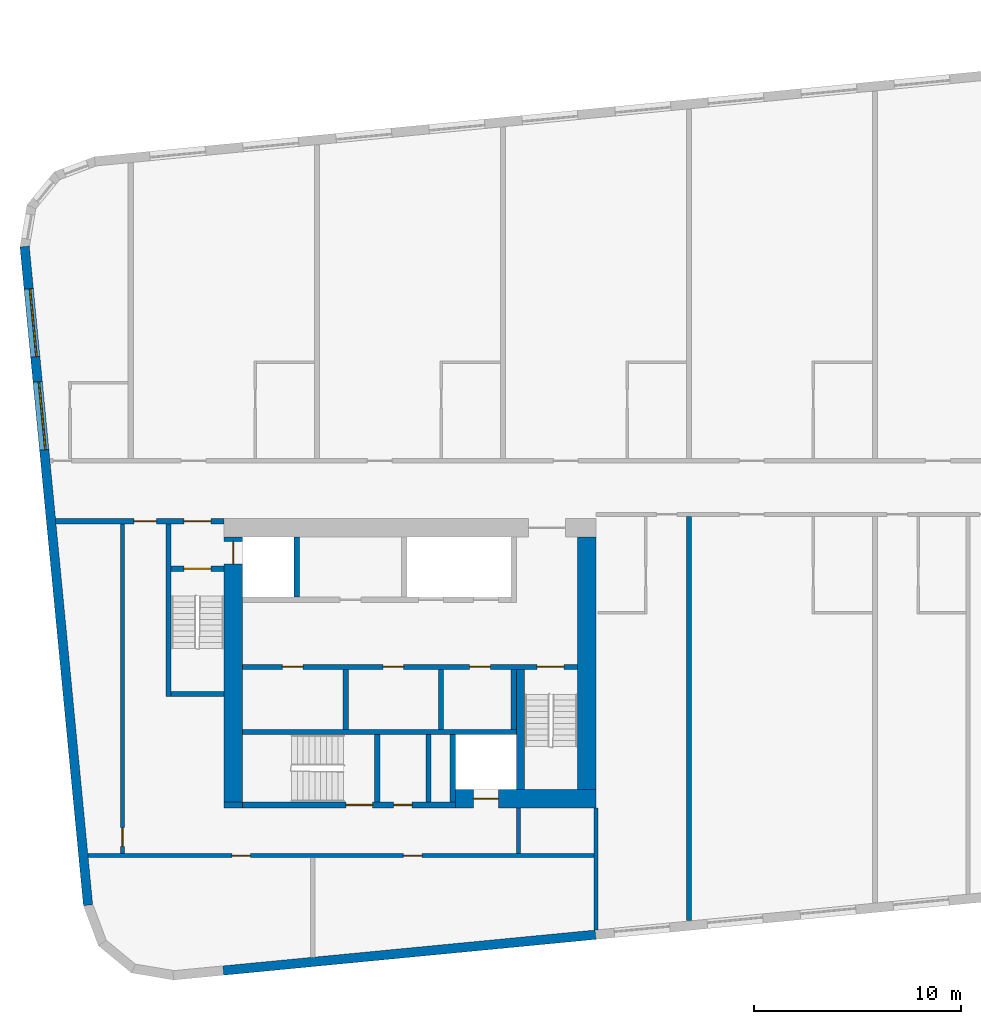
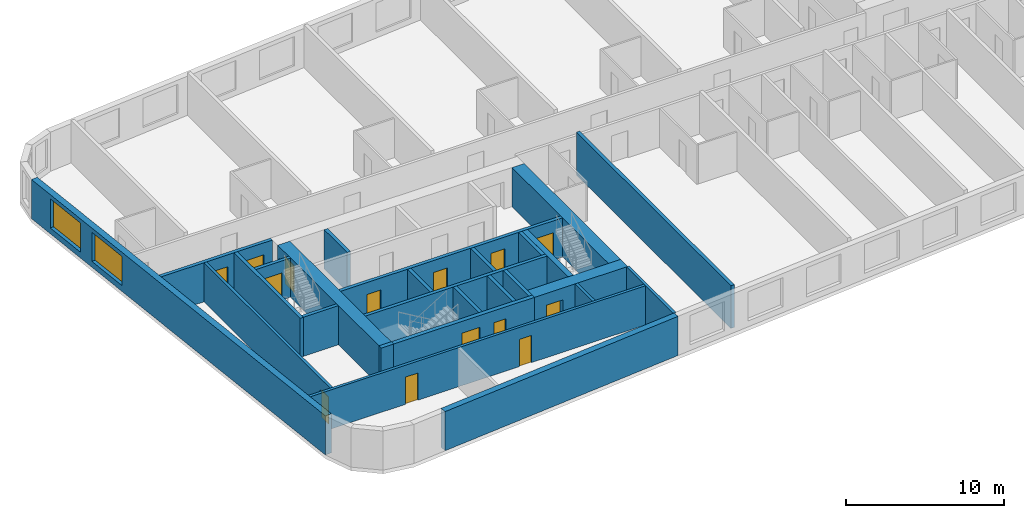
# One storey, part 2 of 11: 26 walls, 14 doors, 2 windows, 16 openings.
"""IFC4 building model written with IfcOpenShell, lengths in metres."""

from ifc_helpers import new_model, si_unit, direction, frame, frame_2d, origin, place, context, subcontext, project, spatial, rectangle, extrude, material, layer, layer_set, type_object, element, fill, save


model = new_model("IFC4")

# Units and contexts
model_context = context("Model", 3, precision=1e-05, world=origin(), true_north=direction((0.0, 1.0)))
body_context = subcontext(model_context, "Body", "Model", "MODEL_VIEW")
ifc_project = project(units=[si_unit("LENGTHUNIT", "METRE"), si_unit("AREAUNIT", "SQUARE_METRE"), si_unit("VOLUMEUNIT", "CUBIC_METRE"), si_unit("PLANEANGLEUNIT", "RADIAN"), si_unit("MASSUNIT", "GRAM", prefix="KILO")], contexts=[model_context])

# Site, building, storey
site_placement = place(None, origin())
site = spatial("IfcSite", under=ifc_project, at=site_placement, CompositionType="ELEMENT")
building_placement = place(site_placement, origin())
building = spatial("IfcBuilding", under=site, at=building_placement, Name="Kajstack Hotel Tower", CompositionType="ELEMENT")
storey_placement = place(building_placement, frame((0.0, 0.0, 285.0)))
storey = spatial("IfcBuildingStorey", under=building, at=storey_placement, Name="L71", CompositionType="ELEMENT", Elevation=285.0)

# Wall, opening, door
ifc_material_1 = material(Name="Concrete C60/75", Category="concrete")
ifc_layer_1 = layer(ifc_material_1, 0.89990234375)
ifc_layer_set_1 = layer_set([ifc_layer_1], Name="Core wall 900")
wall_type_1 = type_object("IfcWallType", Name="Core wall 900", PredefinedType="SHEAR", material=ifc_layer_set_1)
wall_1_placement = place(storey_placement, frame((-20.300048828125, -15.050048828125, 0.0), z_axis=(0.0, 0.0, 1.0), x_axis=(1.0, 0.0, 0.0)))
wall_1 = element("IfcWall", 1, at=wall_1_placement, inside=storey, type_object=wall_type_1, Name="Core wall W RS", PredefinedType="SHEAR", context=body_context, shape_type="SweptSolid", body=[
    extrude(rectangle(XDim=6.800048828125, YDim=0.89990234375, at=frame_2d((3.39990234375, 0.0))), origin(), (0.0, 0.0, 1.0), 3.02001953125),
])
opening_1_placement = place(wall_1_placement, frame((0.875, 0.0, 0.0)))
opening_1 = element("IfcOpeningElement", 2, at=opening_1_placement, cuts=wall_1, Name="Opening LD-SV1", PredefinedType="OPENING", context=body_context, shape_type="SweptSolid", body=[
    extrude(rectangle(XDim=1.199951171875, YDim=2.10009765625, at=frame_2d((0.60009765625, 1.050048828125))), frame((0.0, 0.4599609375, 0.0), z_axis=(0.0, -1.0, 0.0), x_axis=(1.0, 0.0, 0.0)), (0.0, 0.0, 1.0), 0.919921875),
])
ifc_material_2 = material(Name="Stainless steel", Category="steel")
door_type_1 = type_object("IfcDoorType", Name="Lift landing door 1200", OperationType="SLIDING_TO_LEFT", PredefinedType="DOOR", material=ifc_material_2)
door_1_placement = place(opening_1_placement, origin())
door_1 = element("IfcDoor", 3, at=door_1_placement, inside=storey, type_object=door_type_1, Name="Landing door SV1", OperationType="SLIDING_TO_LEFT", OverallHeight=2.10009765625, OverallWidth=1.199951171875, PredefinedType="DOOR", context=body_context, shape_type="SweptSolid", body=[
    extrude(rectangle(XDim=1.199951171875, YDim=2.10009765625, at=frame_2d((0.60009765625, 1.050048828125))), frame((0.0, 0.02490234375, 0.0), z_axis=(0.0, -1.0, 0.0), x_axis=(1.0, 0.0, 0.0)), (0.0, 0.0, 1.0), 0.050048828125),
])
fill(opening_1, door_1)

# Wall
wall_2_placement = place(storey_placement, frame((-31.5, -15.35009765625, 0.0), z_axis=(0.0, 0.0, 1.0), x_axis=(1.0, 0.0, 0.0)))
element("IfcWall", 4, at=wall_2_placement, inside=storey, type_object=wall_type_1, Name="Core wall W RSW", PredefinedType="SHEAR", context=body_context, shape_type="SweptSolid", body=[
    extrude(rectangle(XDim=0.89990234375, YDim=0.300048828125, at=frame_2d((0.449951171875, 0.0))), origin(), (0.0, 0.0, 1.0), 3.02001953125),
])

# Wall, opening, door
wall_3_placement = place(storey_placement, frame((-31.050048828125, -15.199951171875, 0.0), z_axis=(0.0, 0.0, 1.0), x_axis=(0.0, 1.0, 0.0)))
wall_3 = element("IfcWall", 5, at=wall_3_placement, inside=storey, type_object=wall_type_1, Name="Core wall W RW", PredefinedType="SHEAR", context=body_context, shape_type="SweptSolid", body=[
    extrude(rectangle(XDim=12.800048828125, YDim=0.89990234375, at=frame_2d((6.39990234375, 0.0))), origin(), (0.0, 0.0, 1.0), 3.02001953125),
])
opening_2_placement = place(wall_3_placement, frame((11.5, 0.0, 0.0)))
opening_2 = element("IfcOpeningElement", 6, at=opening_2_placement, cuts=wall_3, Name="Opening LD-FF1", PredefinedType="OPENING", context=body_context, shape_type="SweptSolid", body=[
    extrude(rectangle(XDim=1.10009765625, YDim=2.10009765625, at=frame_2d((0.550048828125, 1.050048828125))), frame((0.0, 0.4599609375, 0.0), z_axis=(0.0, -1.0, 0.0), x_axis=(1.0, 0.0, 0.0)), (0.0, 0.0, 1.0), 0.919921875),
])
door_type_2 = type_object("IfcDoorType", Name="Fire-fighting lift landing door 1100", OperationType="SLIDING_TO_LEFT", PredefinedType="DOOR", material=ifc_material_2)
door_2_placement = place(opening_2_placement, origin())
door_2 = element("IfcDoor", 7, at=door_2_placement, inside=storey, type_object=door_type_2, Name="Landing door FF1", OperationType="SLIDING_TO_RIGHT", OverallHeight=2.10009765625, OverallWidth=1.10009765625, PredefinedType="DOOR", context=body_context, shape_type="SweptSolid", body=[
    extrude(rectangle(XDim=1.10009765625, YDim=2.10009765625, at=frame_2d((0.550048828125, 1.050048828125))), frame((0.0, 0.02490234375, 0.0), z_axis=(0.0, -1.0, 0.0), x_axis=(1.0, 0.0, 0.0)), (0.0, 0.0, 1.0), 0.050048828125),
])
fill(opening_2, door_2)

# Walls
wall_4_placement = place(storey_placement, frame((-13.949951171875, -14.60009765625, 0.0), z_axis=(0.0, 0.0, 1.0), x_axis=(0.0, 1.0, 0.0)))
element("IfcWall", 8, at=wall_4_placement, inside=storey, type_object=wall_type_1, Name="Core wall W RE", PredefinedType="SHEAR", context=body_context, shape_type="SweptSolid", body=[
    extrude(rectangle(XDim=12.2001953125, YDim=0.89990234375, at=frame_2d((6.10009765625, 0.0))), origin(), (0.0, 0.0, 1.0), 3.02001953125),
])
ifc_material_3 = material(Name="Twin-frame gypsum board on steel studs, mineral wool", Category="steel")
ifc_layer_2 = layer(ifc_material_3, 0.199951171875)
ifc_layer_set_2 = layer_set([ifc_layer_2], Name="Demising wall 200")
wall_type_2 = type_object("IfcWallType", Name="Demising wall 200", PredefinedType="PARTITIONING", material=ifc_layer_set_2)
wall_5_placement = place(storey_placement, frame((-13.5, -21.39599609375, 0.0), z_axis=(0.0, 0.0, 1.0), x_axis=(0.0, 1.0, 0.0)))
element("IfcWall", 9, at=wall_5_placement, inside=storey, type_object=wall_type_2, Name="G-wall-L71-002", PredefinedType="PARTITIONING", context=body_context, shape_type="SweptSolid", body=[
    extrude(rectangle(XDim=5.89599609375, YDim=0.199951171875, at=frame_2d((2.947998046875, 0.0))), origin(), (0.0, 0.0, 1.0), 3.02001953125),
])
ifc_material_4 = material(Name="Concrete C40/50", Category="concrete")
ifc_layer_3 = layer(ifc_material_4, 0.449951171875)
ifc_layer_set_3 = layer_set([ifc_layer_3], Name="EW-CORE")
wall_type_3 = type_object("IfcWallType", Name="EW-CORE", PredefinedType="SOLIDWALL", material=ifc_layer_set_3)
wall_6_placement = place(storey_placement, frame((-31.521484375, -23.357177734375, 0.0), z_axis=(0.0, 0.0, 1.0), x_axis=(0.995396454615, 0.095843091245, 0.0)))
element("IfcWall", 10, at=wall_6_placement, inside=storey, type_object=wall_type_3, Name="E-wall-L71-04-01", PredefinedType="SOLIDWALL", context=body_context, shape_type="SweptSolid", body=[
    extrude(rectangle(XDim=18.083251953125, YDim=0.449951171875, at=frame_2d((9.04150390625, 0.0))), origin(), (0.0, 0.0, 1.0), 3.02001953125),
])

# Wall, openings, windows
ifc_material_5 = material(Name="Terracotta-faced brick masonry", Category="masonry")
ifc_layer_4 = layer(ifc_material_5, 0.449951171875)
ifc_layer_set_4 = layer_set([ifc_layer_4], Name="EW-TERRA")
wall_type_4 = type_object("IfcWallType", Name="EW-TERRA", PredefinedType="SOLIDWALL", material=ifc_layer_set_4)
wall_7_placement = place(storey_placement, frame((-41.13232421875, 11.657958984375, 0.0), z_axis=(0.0, 0.0, 1.0), x_axis=(0.095847749461, -0.995396006082, 0.0)))
wall_7 = element("IfcWall", 11, at=wall_7_placement, inside=storey, type_object=wall_type_4, Name="E-wall-L71-00-00", PredefinedType="SOLIDWALL", context=body_context, shape_type="SweptSolid", body=[
    extrude(rectangle(XDim=32.0, YDim=0.449951171875, at=frame_2d((16.0, 0.0))), origin(), (0.0, 0.0, 1.0), 3.02001953125),
])
opening_3_placement = place(wall_7_placement, frame((2.053466796875, 0.0, 0.449951171875)))
opening_3 = element("IfcOpeningElement", 12, at=opening_3_placement, cuts=wall_7, Name="Opening W2", PredefinedType="OPENING", context=body_context, shape_type="SweptSolid", body=[
    extrude(rectangle(XDim=3.300048828125, YDim=2.25, at=frame_2d((1.64990234375, 1.125))), frame((0.0, 0.23486328125, 0.0), z_axis=(0.0, -1.0, 0.0), x_axis=(1.0, 0.0, 0.0)), (0.0, 0.0, 1.0), 0.469970703125),
])
opening_4_placement = place(wall_7_placement, frame((6.57421875, 0.0, 0.449951171875)))
opening_4 = element("IfcOpeningElement", 13, at=opening_4_placement, cuts=wall_7, Name="Opening W2", PredefinedType="OPENING", context=body_context, shape_type="SweptSolid", body=[
    extrude(rectangle(XDim=3.300048828125, YDim=2.25, at=frame_2d((1.64990234375, 1.125))), frame((0.0, 0.23486328125, 0.0), z_axis=(0.0, -1.0, 0.0), x_axis=(1.0, 0.0, 0.0)), (0.0, 0.0, 1.0), 0.469970703125),
])
ifc_material_6 = material(Name="Timber-aluminium window, triple glazed", Category="wood")
window_type = type_object("IfcWindowType", Name="WG2", PartitioningType="SINGLE_PANEL", PredefinedType="WINDOW", material=ifc_material_6)
window_1_placement = place(opening_3_placement, origin())
window_1 = element("IfcWindow", 14, at=window_1_placement, inside=storey, type_object=window_type, Name="Window W2 L71-00", OverallHeight=2.25, OverallWidth=3.300048828125, PartitioningType="SINGLE_PANEL", PredefinedType="WINDOW", context=body_context, shape_type="SweptSolid", body=[
    extrude(rectangle(XDim=3.300048828125, YDim=2.25, at=frame_2d((1.64990234375, 1.125))), frame((0.0, 0.090087890625, 0.0), z_axis=(0.0, -1.0, 0.0), x_axis=(1.0, 0.0, 0.0)), (0.0, 0.0, 1.0), 0.06005859375),
])
fill(opening_3, window_1)
window_2_placement = place(opening_4_placement, origin())
window_2 = element("IfcWindow", 15, at=window_2_placement, inside=storey, type_object=window_type, Name="Window W2 L71-00", OverallHeight=2.25, OverallWidth=3.300048828125, PartitioningType="SINGLE_PANEL", PredefinedType="WINDOW", context=body_context, shape_type="SweptSolid", body=[
    extrude(rectangle(XDim=3.300048828125, YDim=2.25, at=frame_2d((1.64990234375, 1.125))), frame((0.0, 0.090087890625, 0.0), z_axis=(0.0, -1.0, 0.0), x_axis=(1.0, 0.0, 0.0)), (0.0, 0.0, 1.0), 0.06005859375),
])
fill(opening_4, window_2)

# Walls
ifc_layer_5 = layer(ifc_material_4, 0.25)
ifc_layer_set_5 = layer_set([ifc_layer_5], Name="RC cross wall 250 C40/50")
wall_type_5 = type_object("IfcWallType", Name="RC cross wall 250 C40/50", PredefinedType="SHEAR", material=ifc_layer_set_5)
wall_8_placement = place(storey_placement, frame((-9.0, -20.9404296875, 0.0), z_axis=(0.0, 0.0, 1.0), x_axis=(0.0, 1.0, 0.0)))
element("IfcWall", 16, at=wall_8_placement, inside=storey, type_object=wall_type_5, Name="S-wall-L71-04", PredefinedType="SHEAR", context=body_context, shape_type="SweptSolid", body=[
    extrude(rectangle(XDim=19.54052734375, YDim=0.25, at=frame_2d((9.770263671875, 0.0))), origin(), (0.0, 0.0, 1.0), 3.300048828125),
])
ifc_material_7 = material(Name="Concrete block masonry", Category="masonry")
ifc_layer_6 = layer(ifc_material_7, 0.25)
ifc_layer_set_6 = layer_set([ifc_layer_6], Name="Riser partition 250")
wall_type_6 = type_object("IfcWallType", Name="Riser partition 250", PredefinedType="PARTITIONING", material=ifc_layer_set_6)
for number, where, z_axis, x_axis, name in (
    (17, (-25.60009765625, -11.699951171875, 0.0), (0.0, 0.0, 1.0), (0.0, 1.0, 0.0), "Partition W BF0"),
    (18, (-21.0, -11.699951171875, 0.0), (0.0, 0.0, 1.0), (0.0, 1.0, 0.0), "Partition W BF1"),
):
    element("IfcWall", number, at=place(storey_placement, frame(where, z_axis=z_axis, x_axis=x_axis)), inside=storey, type_object=wall_type_6, Name=name, PredefinedType="PARTITIONING", context=body_context, shape_type="SweptSolid", body=[
        extrude(rectangle(XDim=2.89990234375, YDim=0.25, at=frame_2d((1.449951171875, 0.0))), origin(), (0.0, 0.0, 1.0), 3.02001953125),
    ])
wall_9_placement = place(storey_placement, frame((-21.60009765625, -15.199951171875, 0.0), z_axis=(0.0, 0.0, 1.0), x_axis=(0.0, 1.0, 0.0)))
element("IfcWall", 19, at=wall_9_placement, inside=storey, type_object=wall_type_6, Name="Partition W SZ0", PredefinedType="PARTITIONING", context=body_context, shape_type="SweptSolid", body=[
    extrude(rectangle(XDim=3.25, YDim=0.25, at=frame_2d((1.625, 0.0))), origin(), (0.0, 0.0, 1.0), 3.02001953125),
])

# Wall, openings, doors
ifc_material_8 = material(Name="Gypsum board on steel studs, mineral wool", Category="steel")
ifc_layer_7 = layer(ifc_material_8, 0.199951171875)
ifc_layer_set_7 = layer_set([ifc_layer_7], Name="Service partition 200")
wall_type_7 = type_object("IfcWallType", Name="Service partition 200", PredefinedType="PARTITIONING", material=ifc_layer_set_7)
wall_10_placement = place(storey_placement, frame((-39.627197265625, -1.625, 0.0), z_axis=(0.0, 0.0, 1.0), x_axis=(1.0, 0.0, 0.0)))
wall_10 = element("IfcWall", 20, at=wall_10_placement, inside=storey, type_object=wall_type_7, Name="Partition W SN", PredefinedType="PARTITIONING", context=body_context, shape_type="SweptSolid", body=[
    extrude(rectangle(XDim=8.127197265625, YDim=0.25, at=frame_2d((4.0634765625, 0.0))), origin(), (0.0, 0.0, 1.0), 3.02001953125),
])
opening_5_placement = place(wall_10_placement, frame((6.202392578125, 0.0, 0.0)))
opening_5 = element("IfcOpeningElement", 21, at=opening_5_placement, cuts=wall_10, Name="Opening 71W06", PredefinedType="OPENING", context=body_context, shape_type="SweptSolid", body=[
    extrude(rectangle(XDim=1.300048828125, YDim=2.10009765625, at=frame_2d((0.64990234375, 1.050048828125))), frame((0.0, 0.135009765625, 0.0), z_axis=(0.0, -1.0, 0.0), x_axis=(1.0, 0.0, 0.0)), (0.0, 0.0, 1.0), 0.27001953125),
])
opening_6_placement = place(wall_10_placement, frame((3.77734375, 0.0, 0.0)))
opening_6 = element("IfcOpeningElement", 22, at=opening_6_placement, cuts=wall_10, Name="Opening 71W08", PredefinedType="OPENING", context=body_context, shape_type="SweptSolid", body=[
    extrude(rectangle(XDim=1.10009765625, YDim=2.10009765625, at=frame_2d((0.550048828125, 1.050048828125))), frame((0.0, 0.135009765625, 0.0), z_axis=(0.0, -1.0, 0.0), x_axis=(1.0, 0.0, 0.0)), (0.0, 0.0, 1.0), 0.27001953125),
])
ifc_material_9 = material(Name="Steel leaf, fire-rated", Category="steel")
door_type_3 = type_object("IfcDoorType", Name="Fire lobby door 1300", OperationType="SINGLE_SWING_LEFT", PredefinedType="DOOR", material=ifc_material_9)
door_3_placement = place(opening_5_placement, origin())
door_3 = element("IfcDoor", 23, at=door_3_placement, inside=storey, type_object=door_type_3, Name="Door 71W06", OperationType="SINGLE_SWING_RIGHT", OverallHeight=2.10009765625, OverallWidth=1.300048828125, PredefinedType="DOOR", context=body_context, shape_type="SweptSolid", body=[
    extrude(rectangle(XDim=1.300048828125, YDim=2.10009765625, at=frame_2d((0.64990234375, 1.050048828125))), frame((0.0, 0.02490234375, 0.0), z_axis=(0.0, -1.0, 0.0), x_axis=(1.0, 0.0, 0.0)), (0.0, 0.0, 1.0), 0.050048828125),
])
fill(opening_5, door_3)
ifc_material_10 = material(Name="Timber leaf, fire-rated", Category="wood")
door_type_4 = type_object("IfcDoorType", Name="Service corridor door 1100", OperationType="SINGLE_SWING_LEFT", PredefinedType="DOOR", material=ifc_material_10)
door_4_placement = place(opening_6_placement, origin())
door_4 = element("IfcDoor", 24, at=door_4_placement, inside=storey, type_object=door_type_4, Name="Door 71W08", OperationType="SINGLE_SWING_RIGHT", OverallHeight=2.10009765625, OverallWidth=1.10009765625, PredefinedType="DOOR", context=body_context, shape_type="SweptSolid", body=[
    extrude(rectangle(XDim=1.10009765625, YDim=2.10009765625, at=frame_2d((0.550048828125, 1.050048828125))), frame((0.0, 0.02490234375, 0.0), z_axis=(0.0, -1.0, 0.0), x_axis=(1.0, 0.0, 0.0)), (0.0, 0.0, 1.0), 0.050048828125),
])
fill(opening_6, door_4)

# Wall
wall_11_placement = place(storey_placement, frame((-17.25, -17.699951171875, 0.0), z_axis=(0.0, 0.0, 1.0), x_axis=(0.0, 1.0, 0.0)))
element("IfcWall", 25, at=wall_11_placement, inside=storey, type_object=wall_type_7, Name="Partition W SCE", PredefinedType="PARTITIONING", context=body_context, shape_type="SweptSolid", body=[
    extrude(rectangle(XDim=2.199951171875, YDim=0.199951171875, at=frame_2d((1.10009765625, 0.0))), origin(), (0.0, 0.0, 1.0), 3.02001953125),
])

# Wall, opening, door
wall_12_placement = place(storey_placement, frame((-36.39990234375, -17.699951171875, 0.0), z_axis=(0.0, 0.0, 1.0), x_axis=(0.0, 1.0, 0.0)))
wall_12 = element("IfcWall", 26, at=wall_12_placement, inside=storey, type_object=wall_type_7, Name="Partition W WRE", PredefinedType="PARTITIONING", context=body_context, shape_type="SweptSolid", body=[
    extrude(rectangle(XDim=15.949951171875, YDim=0.199951171875, at=frame_2d((7.97509765625, 0.0))), origin(), (0.0, 0.0, 1.0), 3.02001953125),
])
opening_7_placement = place(wall_12_placement, frame((0.35009765625, 0.0, 0.0)))
opening_7 = element("IfcOpeningElement", 27, at=opening_7_placement, cuts=wall_12, Name="Opening 71W18", PredefinedType="OPENING", context=body_context, shape_type="SweptSolid", body=[
    extrude(rectangle(XDim=0.89990234375, YDim=2.10009765625, at=frame_2d((0.449951171875, 1.050048828125))), frame((0.0, 0.10986328125, 0.0), z_axis=(0.0, -1.0, 0.0), x_axis=(1.0, 0.0, 0.0)), (0.0, 0.0, 1.0), 0.219970703125),
])
door_type_5 = type_object("IfcDoorType", Name="Service door 900", OperationType="SINGLE_SWING_LEFT", PredefinedType="DOOR", material=ifc_material_10)
door_5_placement = place(opening_7_placement, origin())
door_5 = element("IfcDoor", 28, at=door_5_placement, inside=storey, type_object=door_type_5, Name="Door 71W18", OperationType="SINGLE_SWING_LEFT", OverallHeight=2.10009765625, OverallWidth=0.89990234375, PredefinedType="DOOR", context=body_context, shape_type="SweptSolid", body=[
    extrude(rectangle(XDim=0.89990234375, YDim=2.10009765625, at=frame_2d((0.449951171875, 1.050048828125))), frame((0.0, 0.02490234375, 0.0), z_axis=(0.0, -1.0, 0.0), x_axis=(1.0, 0.0, 0.0)), (0.0, 0.0, 1.0), 0.050048828125),
])
fill(opening_7, door_5)

# Wall, openings, doors
wall_13_placement = place(storey_placement, frame((-38.06982421875, -17.800048828125, 0.0), z_axis=(0.0, 0.0, 1.0), x_axis=(1.0, 0.0, 0.0)))
wall_13 = element("IfcWall", 29, at=wall_13_placement, inside=storey, type_object=wall_type_7, Name="Partition W SLN", PredefinedType="PARTITIONING", context=body_context, shape_type="SweptSolid", body=[
    extrude(rectangle(XDim=24.4697265625, YDim=0.199951171875, at=frame_2d((12.23486328125, 0.0))), origin(), (0.0, 0.0, 1.0), 3.02001953125),
])
opening_8_placement = place(wall_13_placement, frame((6.957275390625, 0.0, 0.0)))
opening_8 = element("IfcOpeningElement", 30, at=opening_8_placement, cuts=wall_13, Name="Opening 71W16", PredefinedType="OPENING", context=body_context, shape_type="SweptSolid", body=[
    extrude(rectangle(XDim=0.89990234375, YDim=2.10009765625, at=frame_2d((0.449951171875, 1.050048828125))), frame((0.0, 0.10986328125, 0.0), z_axis=(0.0, -1.0, 0.0), x_axis=(1.0, 0.0, 0.0)), (0.0, 0.0, 1.0), 0.219970703125),
])
opening_9_placement = place(wall_13_placement, frame((15.25732421875, 0.0, 0.0)))
opening_9 = element("IfcOpeningElement", 31, at=opening_9_placement, cuts=wall_13, Name="Opening 71W17", PredefinedType="OPENING", context=body_context, shape_type="SweptSolid", body=[
    extrude(rectangle(XDim=0.89990234375, YDim=2.10009765625, at=frame_2d((0.449951171875, 1.050048828125))), frame((0.0, 0.10986328125, 0.0), z_axis=(0.0, -1.0, 0.0), x_axis=(1.0, 0.0, 0.0)), (0.0, 0.0, 1.0), 0.219970703125),
])
door_6_placement = place(opening_8_placement, origin())
door_6 = element("IfcDoor", 32, at=door_6_placement, inside=storey, type_object=door_type_5, Name="Door 71W16", OperationType="SINGLE_SWING_RIGHT", OverallHeight=2.10009765625, OverallWidth=0.89990234375, PredefinedType="DOOR", context=body_context, shape_type="SweptSolid", body=[
    extrude(rectangle(XDim=0.89990234375, YDim=2.10009765625, at=frame_2d((0.449951171875, 1.050048828125))), frame((0.0, 0.02490234375, 0.0), z_axis=(0.0, -1.0, 0.0), x_axis=(1.0, 0.0, 0.0)), (0.0, 0.0, 1.0), 0.050048828125),
])
fill(opening_8, door_6)
door_7_placement = place(opening_9_placement, origin())
door_7 = element("IfcDoor", 33, at=door_7_placement, inside=storey, type_object=door_type_5, Name="Door 71W17", OperationType="SINGLE_SWING_RIGHT", OverallHeight=2.10009765625, OverallWidth=0.89990234375, PredefinedType="DOOR", context=body_context, shape_type="SweptSolid", body=[
    extrude(rectangle(XDim=0.89990234375, YDim=2.10009765625, at=frame_2d((0.449951171875, 1.050048828125))), frame((0.0, 0.02490234375, 0.0), z_axis=(0.0, -1.0, 0.0), x_axis=(1.0, 0.0, 0.0)), (0.0, 0.0, 1.0), 0.050048828125),
])
fill(opening_9, door_7)

ifc_material_11 = material(Name="Concrete C50/60", Category="concrete")
ifc_layer_8 = layer(ifc_material_11, 0.25)
ifc_layer_set_8 = layer_set([ifc_layer_8], Name="Shaft wall 250")
wall_type_8 = type_object("IfcWallType", Name="Shaft wall 250", PredefinedType="SHEAR", material=ifc_layer_set_8)
wall_14_placement = place(storey_placement, frame((-30.60009765625, -15.35009765625, 0.0), z_axis=(0.0, 0.0, 1.0), x_axis=(1.0, 0.0, 0.0)))
wall_14 = element("IfcWall", 34, at=wall_14_placement, inside=storey, type_object=wall_type_8, Name="Core wall W RSS", PredefinedType="SHEAR", context=body_context, shape_type="SweptSolid", body=[
    extrude(rectangle(XDim=10.300048828125, YDim=0.300048828125, at=frame_2d((5.14990234375, 0.0))), origin(), (0.0, 0.0, 1.0), 3.02001953125),
])
opening_10_placement = place(wall_14_placement, frame((5.0, 0.0, 0.0)))
opening_10 = element("IfcOpeningElement", 35, at=opening_10_placement, cuts=wall_14, Name="Opening 71W10", PredefinedType="OPENING", context=body_context, shape_type="SweptSolid", body=[
    extrude(rectangle(XDim=1.300048828125, YDim=2.10009765625, at=frame_2d((0.64990234375, 1.050048828125))), frame((0.0, 0.159912109375, 0.0), z_axis=(0.0, -1.0, 0.0), x_axis=(1.0, 0.0, 0.0)), (0.0, 0.0, 1.0), 0.320068359375),
])
opening_11_placement = place(wall_14_placement, frame((7.3125, 0.0, 0.0)))
opening_11 = element("IfcOpeningElement", 36, at=opening_11_placement, cuts=wall_14, Name="Opening 71W11", PredefinedType="OPENING", context=body_context, shape_type="SweptSolid", body=[
    extrude(rectangle(XDim=0.89990234375, YDim=2.10009765625, at=frame_2d((0.449951171875, 1.050048828125))), frame((0.0, 0.159912109375, 0.0), z_axis=(0.0, -1.0, 0.0), x_axis=(1.0, 0.0, 0.0)), (0.0, 0.0, 1.0), 0.320068359375),
])
door_8_placement = place(opening_11_placement, origin())
door_8 = element("IfcDoor", 37, at=door_8_placement, inside=storey, type_object=door_type_5, Name="Door 71W11", OperationType="SINGLE_SWING_LEFT", OverallHeight=2.10009765625, OverallWidth=0.89990234375, PredefinedType="DOOR", context=body_context, shape_type="SweptSolid", body=[
    extrude(rectangle(XDim=0.89990234375, YDim=2.10009765625, at=frame_2d((0.449951171875, 1.050048828125))), frame((0.0, 0.02490234375, 0.0), z_axis=(0.0, -1.0, 0.0), x_axis=(1.0, 0.0, 0.0)), (0.0, 0.0, 1.0), 0.050048828125),
])
fill(opening_11, door_8)
door_type_6 = type_object("IfcDoorType", Name="Stair door 1300", OperationType="SINGLE_SWING_LEFT", PredefinedType="DOOR", material=ifc_material_9)
door_9_placement = place(opening_10_placement, origin())
door_9 = element("IfcDoor", 38, at=door_9_placement, inside=storey, type_object=door_type_6, Name="Door 71W10", OperationType="SINGLE_SWING_RIGHT", OverallHeight=2.10009765625, OverallWidth=1.300048828125, PredefinedType="DOOR", context=body_context, shape_type="SweptSolid", body=[
    extrude(rectangle(XDim=1.300048828125, YDim=2.10009765625, at=frame_2d((0.64990234375, 1.050048828125))), frame((0.0, 0.02490234375, 0.0), z_axis=(0.0, -1.0, 0.0), x_axis=(1.0, 0.0, 0.0)), (0.0, 0.0, 1.0), 0.050048828125),
])
fill(opening_10, door_9)

# Wall
wall_15_placement = place(storey_placement, frame((-27.97509765625, -5.300048828125, 0.0), z_axis=(0.0, 0.0, 1.0), x_axis=(0.0, 1.0, 0.0)))
element("IfcWall", 39, at=wall_15_placement, inside=storey, type_object=wall_type_8, Name="Core wall W AP0", PredefinedType="SHEAR", context=body_context, shape_type="SweptSolid", body=[
    extrude(rectangle(XDim=2.900146484375, YDim=0.25, at=frame_2d((1.4501953125, 0.0))), origin(), (0.0, 0.0, 1.0), 3.02001953125),
])

# Wall, openings, doors
wall_16_placement = place(storey_placement, frame((-30.60009765625, -8.675048828125, 0.0), z_axis=(0.0, 0.0, 1.0), x_axis=(1.0, 0.0, 0.0)))
wall_16 = element("IfcWall", 40, at=wall_16_placement, inside=storey, type_object=wall_type_8, Name="Core wall W FB", PredefinedType="SHEAR", context=body_context, shape_type="SweptSolid", body=[
    extrude(rectangle(XDim=16.2001953125, YDim=0.25, at=frame_2d((8.10009765625, 0.0))), origin(), (0.0, 0.0, 1.0), 3.02001953125),
])
opening_12_placement = place(wall_16_placement, frame((14.25, 0.0, 0.0)))
opening_12 = element("IfcOpeningElement", 41, at=opening_12_placement, cuts=wall_16, Name="Opening 71W09", PredefinedType="OPENING", context=body_context, shape_type="SweptSolid", body=[
    extrude(rectangle(XDim=1.300048828125, YDim=2.10009765625, at=frame_2d((0.64990234375, 1.050048828125))), frame((0.0, 0.135009765625, 0.0), z_axis=(0.0, -1.0, 0.0), x_axis=(1.0, 0.0, 0.0)), (0.0, 0.0, 1.0), 0.27001953125),
])
opening_13_placement = place(wall_16_placement, frame((1.9375, 0.0, 0.0)))
opening_13 = element("IfcOpeningElement", 42, at=opening_13_placement, cuts=wall_16, Name="Opening 71W12", PredefinedType="OPENING", context=body_context, shape_type="SweptSolid", body=[
    extrude(rectangle(XDim=1.0, YDim=2.10009765625, at=frame_2d((0.5, 1.050048828125))), frame((0.0, 0.135009765625, 0.0), z_axis=(0.0, -1.0, 0.0), x_axis=(1.0, 0.0, 0.0)), (0.0, 0.0, 1.0), 0.27001953125),
])
opening_14_placement = place(wall_16_placement, frame((6.800048828125, 0.0, 0.0)))
opening_14 = element("IfcOpeningElement", 43, at=opening_14_placement, cuts=wall_16, Name="Opening 71W13", PredefinedType="OPENING", context=body_context, shape_type="SweptSolid", body=[
    extrude(rectangle(XDim=1.0, YDim=2.10009765625, at=frame_2d((0.5, 1.050048828125))), frame((0.0, 0.135009765625, 0.0), z_axis=(0.0, -1.0, 0.0), x_axis=(1.0, 0.0, 0.0)), (0.0, 0.0, 1.0), 0.27001953125),
])
opening_15_placement = place(wall_16_placement, frame((10.987548828125, 0.0, 0.0)))
opening_15 = element("IfcOpeningElement", 44, at=opening_15_placement, cuts=wall_16, Name="Opening 71W14", PredefinedType="OPENING", context=body_context, shape_type="SweptSolid", body=[
    extrude(rectangle(XDim=1.0, YDim=2.10009765625, at=frame_2d((0.5, 1.050048828125))), frame((0.0, 0.135009765625, 0.0), z_axis=(0.0, -1.0, 0.0), x_axis=(1.0, 0.0, 0.0)), (0.0, 0.0, 1.0), 0.27001953125),
])
door_type_7 = type_object("IfcDoorType", Name="Service room door 1000", OperationType="SINGLE_SWING_LEFT", PredefinedType="DOOR", material=ifc_material_10)
door_10_placement = place(opening_13_placement, origin())
door_10 = element("IfcDoor", 45, at=door_10_placement, inside=storey, type_object=door_type_7, Name="Door 71W12", OperationType="SINGLE_SWING_RIGHT", OverallHeight=2.10009765625, OverallWidth=1.0, PredefinedType="DOOR", context=body_context, shape_type="SweptSolid", body=[
    extrude(rectangle(XDim=1.0, YDim=2.10009765625, at=frame_2d((0.5, 1.050048828125))), frame((0.0, 0.02490234375, 0.0), z_axis=(0.0, -1.0, 0.0), x_axis=(1.0, 0.0, 0.0)), (0.0, 0.0, 1.0), 0.050048828125),
])
fill(opening_13, door_10)
door_11_placement = place(opening_14_placement, origin())
door_11 = element("IfcDoor", 46, at=door_11_placement, inside=storey, type_object=door_type_7, Name="Door 71W13", OperationType="SINGLE_SWING_RIGHT", OverallHeight=2.10009765625, OverallWidth=1.0, PredefinedType="DOOR", context=body_context, shape_type="SweptSolid", body=[
    extrude(rectangle(XDim=1.0, YDim=2.10009765625, at=frame_2d((0.5, 1.050048828125))), frame((0.0, 0.02490234375, 0.0), z_axis=(0.0, -1.0, 0.0), x_axis=(1.0, 0.0, 0.0)), (0.0, 0.0, 1.0), 0.050048828125),
])
fill(opening_14, door_11)
door_12_placement = place(opening_15_placement, origin())
door_12 = element("IfcDoor", 47, at=door_12_placement, inside=storey, type_object=door_type_7, Name="Door 71W14", OperationType="SINGLE_SWING_RIGHT", OverallHeight=2.10009765625, OverallWidth=1.0, PredefinedType="DOOR", context=body_context, shape_type="SweptSolid", body=[
    extrude(rectangle(XDim=1.0, YDim=2.10009765625, at=frame_2d((0.5, 1.050048828125))), frame((0.0, 0.02490234375, 0.0), z_axis=(0.0, -1.0, 0.0), x_axis=(1.0, 0.0, 0.0)), (0.0, 0.0, 1.0), 0.050048828125),
])
fill(opening_15, door_12)
door_13_placement = place(opening_12_placement, origin())
door_13 = element("IfcDoor", 48, at=door_13_placement, inside=storey, type_object=door_type_6, Name="Door 71W09", OperationType="SINGLE_SWING_RIGHT", OverallHeight=2.10009765625, OverallWidth=1.300048828125, PredefinedType="DOOR", context=body_context, shape_type="SweptSolid", body=[
    extrude(rectangle(XDim=1.300048828125, YDim=2.10009765625, at=frame_2d((0.64990234375, 1.050048828125))), frame((0.0, 0.02490234375, 0.0), z_axis=(0.0, -1.0, 0.0), x_axis=(1.0, 0.0, 0.0)), (0.0, 0.0, 1.0), 0.050048828125),
])
fill(opening_12, door_13)

# Walls
wall_17_placement = place(storey_placement, frame((-30.60009765625, -11.824951171875, 0.0), z_axis=(0.0, 0.0, 1.0), x_axis=(1.0, 0.0, 0.0)))
element("IfcWall", 49, at=wall_17_placement, inside=storey, type_object=wall_type_8, Name="Core wall W RB", PredefinedType="SHEAR", context=body_context, shape_type="SweptSolid", body=[
    extrude(rectangle(XDim=13.25, YDim=0.25, at=frame_2d((6.625, 0.0))), origin(), (0.0, 0.0, 1.0), 3.02001953125),
])
wall_18_placement = place(storey_placement, frame((-17.47509765625, -11.699951171875, 0.0), z_axis=(0.0, 0.0, 1.0), x_axis=(0.0, 1.0, 0.0)))
element("IfcWall", 50, at=wall_18_placement, inside=storey, type_object=wall_type_8, Name="Core wall W BE", PredefinedType="SHEAR", context=body_context, shape_type="SweptSolid", body=[
    extrude(rectangle(XDim=2.89990234375, YDim=0.25, at=frame_2d((1.449951171875, 0.0))), origin(), (0.0, 0.0, 1.0), 3.02001953125),
])
wall_19_placement = place(storey_placement, frame((-20.425048828125, -15.199951171875, 0.0), z_axis=(0.0, 0.0, 1.0), x_axis=(0.0, 1.0, 0.0)))
element("IfcWall", 51, at=wall_19_placement, inside=storey, type_object=wall_type_8, Name="Core wall W SVW", PredefinedType="SHEAR", context=body_context, shape_type="SweptSolid", body=[
    extrude(rectangle(XDim=3.25, YDim=0.25, at=frame_2d((1.625, 0.0))), origin(), (0.0, 0.0, 1.0), 3.02001953125),
])

# Wall, opening, door
ifc_layer_9 = layer(ifc_material_4, 0.25)
ifc_layer_set_9 = layer_set([ifc_layer_9], Name="Stair enclosure wall 250")
wall_type_9 = type_object("IfcWallType", Name="Stair enclosure wall 250", PredefinedType="SHEAR", material=ifc_layer_set_9)
wall_20_placement = place(storey_placement, frame((-34.050048828125, -3.925048828125, 0.0), z_axis=(0.0, 0.0, 1.0), x_axis=(1.0, 0.0, 0.0)))
wall_20 = element("IfcWall", 52, at=wall_20_placement, inside=storey, type_object=wall_type_9, Name="Core wall W W1N", PredefinedType="SHEAR", context=body_context, shape_type="SweptSolid", body=[
    extrude(rectangle(XDim=2.550048828125, YDim=0.25, at=frame_2d((1.27490234375, 0.0))), origin(), (0.0, 0.0, 1.0), 3.02001953125),
])
opening_16_placement = place(wall_20_placement, frame((0.625, 0.0, 0.0)))
opening_16 = element("IfcOpeningElement", 53, at=opening_16_placement, cuts=wall_20, Name="Opening 71W07", PredefinedType="OPENING", context=body_context, shape_type="SweptSolid", body=[
    extrude(rectangle(XDim=1.300048828125, YDim=2.10009765625, at=frame_2d((0.64990234375, 1.050048828125))), frame((0.0, 0.135009765625, 0.0), z_axis=(0.0, -1.0, 0.0), x_axis=(1.0, 0.0, 0.0)), (0.0, 0.0, 1.0), 0.27001953125),
])
door_14_placement = place(opening_16_placement, origin())
door_14 = element("IfcDoor", 54, at=door_14_placement, inside=storey, type_object=door_type_6, Name="Door 71W07", OperationType="SINGLE_SWING_RIGHT", OverallHeight=2.10009765625, OverallWidth=1.300048828125, PredefinedType="DOOR", context=body_context, shape_type="SweptSolid", body=[
    extrude(rectangle(XDim=1.300048828125, YDim=2.10009765625, at=frame_2d((0.64990234375, 1.050048828125))), frame((0.0, 0.02490234375, 0.0), z_axis=(0.0, -1.0, 0.0), x_axis=(1.0, 0.0, 0.0)), (0.0, 0.0, 1.0), 0.050048828125),
])
fill(opening_16, door_14)

# Walls
wall_21_placement = place(storey_placement, frame((-34.175048828125, -10.10009765625, 0.0), z_axis=(0.0, 0.0, 1.0), x_axis=(0.0, 1.0, 0.0)))
element("IfcWall", 55, at=wall_21_placement, inside=storey, type_object=wall_type_9, Name="Core wall W W1W", PredefinedType="SHEAR", context=body_context, shape_type="SweptSolid", body=[
    extrude(rectangle(XDim=8.35009765625, YDim=0.25, at=frame_2d((4.175048828125, 0.0))), origin(), (0.0, 0.0, 1.0), 3.02001953125),
])
wall_22_placement = place(storey_placement, frame((-34.050048828125, -9.97509765625, 0.0), z_axis=(0.0, 0.0, 1.0), x_axis=(1.0, 0.0, 0.0)))
element("IfcWall", 56, at=wall_22_placement, inside=storey, type_object=wall_type_9, Name="Core wall W W1S", PredefinedType="SHEAR", context=body_context, shape_type="SweptSolid", body=[
    extrude(rectangle(XDim=2.550048828125, YDim=0.25, at=frame_2d((1.27490234375, 0.0))), origin(), (0.0, 0.0, 1.0), 3.02001953125),
])
ifc_layer_10 = layer(ifc_material_11, 0.35009765625)
ifc_layer_set_10 = layer_set([ifc_layer_10], Name="Stair enclosure wall 350")
wall_type_10 = type_object("IfcWallType", Name="Stair enclosure wall 350", PredefinedType="SHEAR", material=ifc_layer_set_10)
wall_23_placement = place(storey_placement, frame((-24.074951171875, -15.199951171875, 0.0), z_axis=(0.0, 0.0, 1.0), x_axis=(0.0, 1.0, 0.0)))
element("IfcWall", 57, at=wall_23_placement, inside=storey, type_object=wall_type_10, Name="Core wall W W3E", PredefinedType="SHEAR", context=body_context, shape_type="SweptSolid", body=[
    extrude(rectangle(XDim=3.25, YDim=0.25, at=frame_2d((1.625, 0.0))), origin(), (0.0, 0.0, 1.0), 3.02001953125),
])
ifc_layer_11 = layer(ifc_material_11, 0.39990234375)
ifc_layer_set_11 = layer_set([ifc_layer_11], Name="Stair wall 400")
wall_type_11 = type_object("IfcWallType", Name="Stair wall 400", PredefinedType="SHEAR", material=ifc_layer_set_11)
wall_24_placement = place(storey_placement, frame((-17.14990234375, -14.60009765625, 0.0), z_axis=(0.0, 0.0, 1.0), x_axis=(0.0, 1.0, 0.0)))
element("IfcWall", 58, at=wall_24_placement, inside=storey, type_object=wall_type_11, Name="Core wall W WW2", PredefinedType="SHEAR", context=body_context, shape_type="SweptSolid", body=[
    extrude(rectangle(XDim=5.800048828125, YDim=0.39990234375, at=frame_2d((2.89990234375, 0.0))), origin(), (0.0, 0.0, 1.0), 3.02001953125),
])

save(model, "model.ifc")
